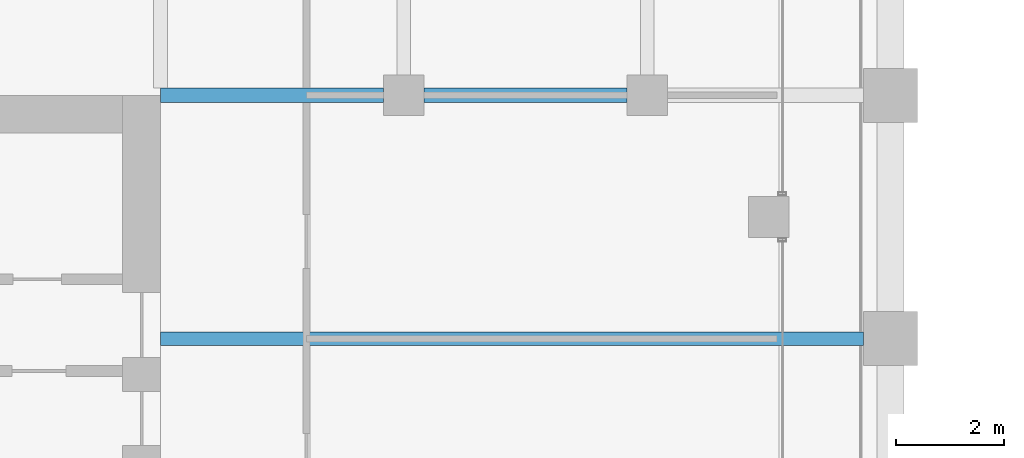
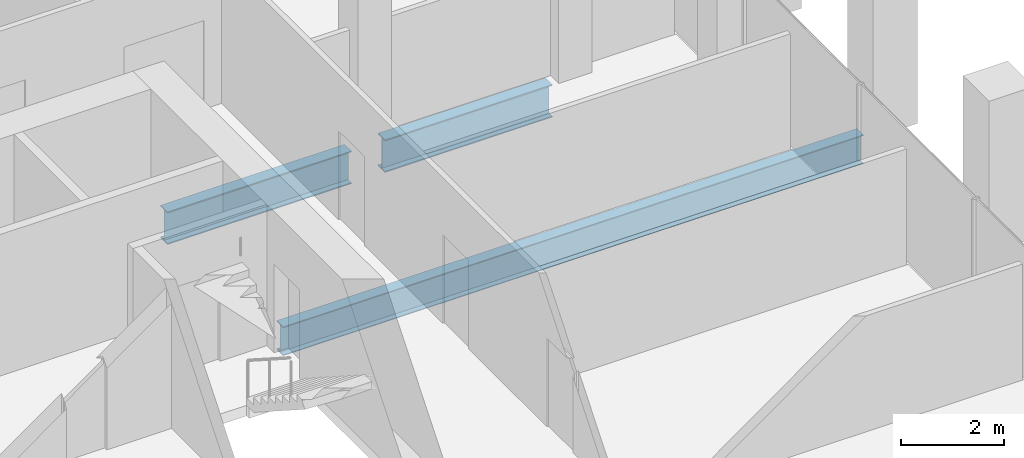
# One storey, part 18 of 47: 3 beams.
"""IFC4 building model written with IfcOpenShell, lengths in metres."""

from ifc_helpers import new_model, si_unit, direction, frame, origin, origin_2d, place, context, subcontext, project, spatial, i_section, extrude, material, material_profile, profile_set, type_object, element, save


model = new_model("IFC4")

# Units and contexts
model_context = context("Model", 3, precision=1e-05, world=origin(), true_north=direction((0.0, 1.0)))
body_context = subcontext(model_context, "Body", "Model", "MODEL_VIEW")
ifc_project = project(units=[si_unit("LENGTHUNIT", "METRE"), si_unit("AREAUNIT", "SQUARE_METRE"), si_unit("VOLUMEUNIT", "CUBIC_METRE"), si_unit("PLANEANGLEUNIT", "RADIAN"), si_unit("MASSUNIT", "GRAM", prefix="KILO")], contexts=[model_context])

# Site, building, storey
site_placement = place(None, origin())
site = spatial("IfcSite", under=ifc_project, at=site_placement, CompositionType="ELEMENT")
building_placement = place(site_placement, origin())
building = spatial("IfcBuilding", under=site, at=building_placement, Name="Altepetl Exchange Towers", CompositionType="ELEMENT")
storey_placement = place(building_placement, frame((0.0, 0.0, 99.199951171875)))
storey = spatial("IfcBuildingStorey", under=building, at=storey_placement, Name="L24", CompositionType="ELEMENT", Elevation=99.199951171875)

# Beams
ifc_material = material(Name="Steel S355", Category="steel")
ifc_material_profile_1 = material_profile(ifc_material, i_section(OverallWidth=0.25390625, OverallDepth=0.68408203125, WebThickness=0.012451171875, FlangeThickness=0.018798828125, at=origin_2d()), Name="W27X94")
ifc_profile_set_1 = profile_set([ifc_material_profile_1], Name="Steel S355")
beam_type_1 = type_object("IfcBeamType", Name="Floor beam W27X94", PredefinedType="BEAM", material=ifc_profile_set_1)
beam_1_placement = place(storey_placement, frame((58.5, 54.0, -0.491943359375), z_axis=(1.0, 0.0, 0.0), x_axis=(0.0, 1.0, 0.0)))
element("IfcBeam", 1, at=beam_1_placement, inside=storey, type_object=beam_type_1, Name="bm:A:L24:011", PredefinedType="BEAM", context=body_context, shape_type="SweptSolid", body=[
    extrude(i_section(OverallWidth=0.25390625, OverallDepth=0.68408203125, WebThickness=0.012451171875, FlangeThickness=0.018798828125, at=origin_2d()), origin(), (0.0, 0.0, 1.0), 13.0),
])
ifc_material_profile_2 = material_profile(ifc_material, i_section(OverallWidth=0.26806640625, OverallDepth=0.77392578125, WebThickness=0.015380859375, FlangeThickness=0.025390625, at=origin_2d()), Name="W30X132")
ifc_profile_set_2 = profile_set([ifc_material_profile_2], Name="Steel S355")
beam_type_2 = type_object("IfcBeamType", Name="Girder W30X132", PredefinedType="BEAM", material=ifc_profile_set_2)
beam_2_placement = place(storey_placement, frame((58.5, 58.5, -0.536865234375), z_axis=(1.0, 0.0, 0.0), x_axis=(0.0, 1.0, 0.0)))
element("IfcBeam", 2, at=beam_2_placement, inside=storey, type_object=beam_type_2, Name="gd:A:L24:000", PredefinedType="BEAM", context=body_context, shape_type="SweptSolid", body=[
    extrude(i_section(OverallWidth=0.26806640625, OverallDepth=0.77392578125, WebThickness=0.015380859375, FlangeThickness=0.025390625, at=origin_2d()), origin(), (0.0, 0.0, 1.0), 4.125),
])
beam_3_placement = place(storey_placement, frame((63.375, 58.5, -0.536865234375), z_axis=(1.0, 0.0, 0.0), x_axis=(0.0, 1.0, 0.0)))
element("IfcBeam", 3, at=beam_3_placement, inside=storey, type_object=beam_type_2, Name="gd:A:L24:001", PredefinedType="BEAM", context=body_context, shape_type="SweptSolid", body=[
    extrude(i_section(OverallWidth=0.26806640625, OverallDepth=0.77392578125, WebThickness=0.015380859375, FlangeThickness=0.025390625, at=origin_2d()), origin(), (0.0, 0.0, 1.0), 3.75),
])

save(model, "model.ifc")
